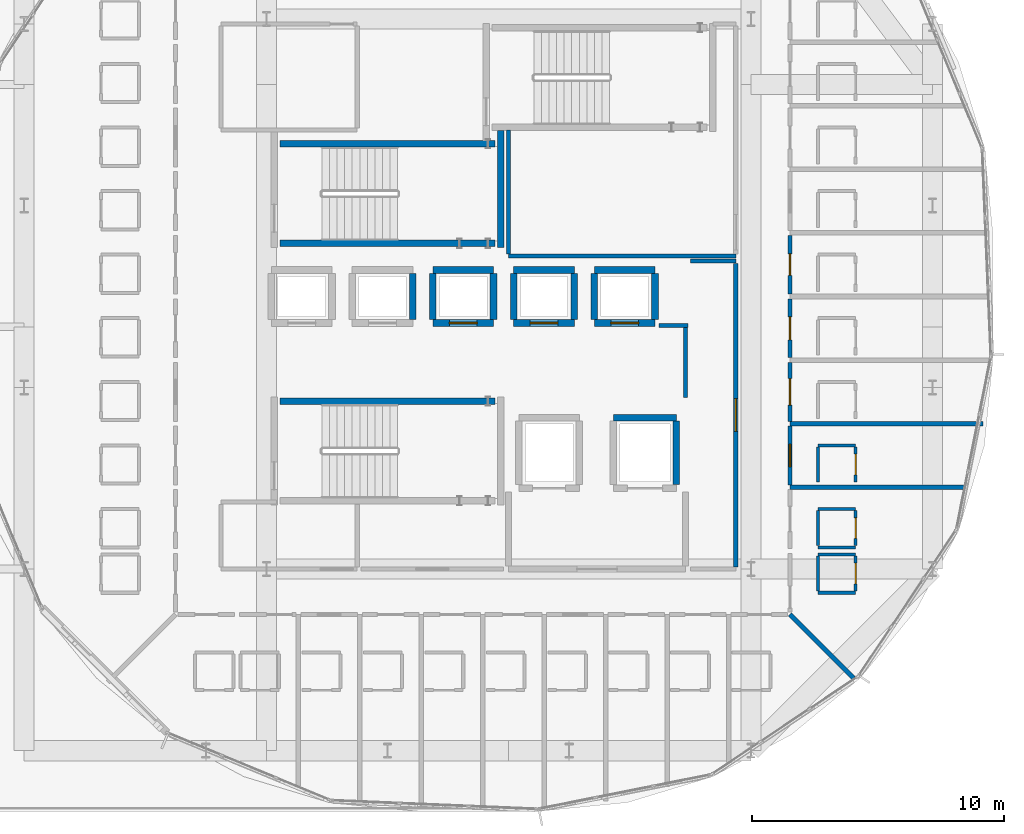
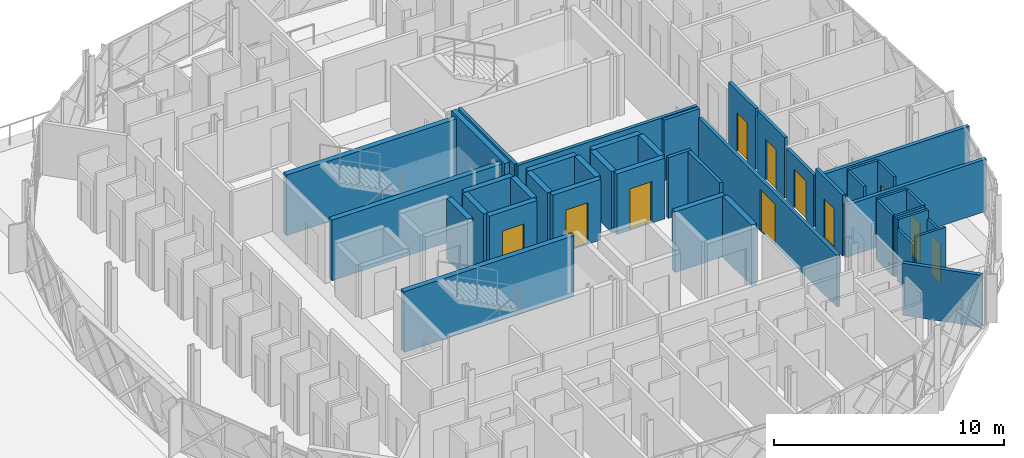
# One storey, part 34 of 53: 43 walls, 11 doors, 11 openings.
"""IFC4 building model written with IfcOpenShell, lengths in metres."""

from ifc_helpers import new_model, si_unit, direction, frame, frame_2d, origin, place, context, subcontext, project, spatial, rectangle, extrude, material, layer, layer_set, type_object, element, fill, save


model = new_model("IFC4")

# Units and contexts
model_context = context("Model", 3, precision=1e-05, world=origin(), true_north=direction((0.0, 1.0)))
body_context = subcontext(model_context, "Body", "Model", "MODEL_VIEW")
ifc_project = project(units=[si_unit("LENGTHUNIT", "METRE"), si_unit("AREAUNIT", "SQUARE_METRE"), si_unit("VOLUMEUNIT", "CUBIC_METRE"), si_unit("PLANEANGLEUNIT", "RADIAN"), si_unit("MASSUNIT", "GRAM", prefix="KILO")], contexts=[model_context])

# Site, building, storey
site_placement = place(None, origin())
site = spatial("IfcSite", under=ifc_project, at=site_placement, CompositionType="ELEMENT")
building_placement = place(site_placement, origin())
building = spatial("IfcBuilding", under=site, at=building_placement, Name="Zevrakil Square Congress Hotel", CompositionType="ELEMENT")
storey_placement = place(building_placement, frame((0.0, 0.0, 14.699951171875)))
storey = spatial("IfcBuildingStorey", under=building, at=storey_placement, Name="L04", CompositionType="ELEMENT", Elevation=14.699951171875)

# Walls
ifc_material_1 = material(Name="Gypsum Acoustic Stud Partition")
ifc_layer_1 = layer(ifc_material_1, 0.159912109375)
ifc_layer_set_1 = layer_set([ifc_layer_1], Name="Gypsum Acoustic Stud Partition")
wall_type_1 = type_object("IfcWallType", Name="WAL-CORR-160", PredefinedType="PARTITIONING", material=ifc_layer_set_1)
wall_1_placement = place(storey_placement, frame((146.39990234375, 29.199951171875, 0.0), z_axis=(0.0, 0.0, 1.0), x_axis=(1.0, 0.0, 0.0)))
element("IfcWall", 1, at=wall_1_placement, inside=storey, type_object=wall_type_1, Name="L04 interior partition PW-L04-0250", PredefinedType="PARTITIONING", context=body_context, shape_type="SweptSolid", body=[
    extrude(rectangle(XDim=9.0, YDim=0.159912109375, at=frame_2d((4.5, 0.0))), origin(), (0.0, 0.0, 1.0), 3.215087890625),
])
wall_2_placement = place(storey_placement, frame((146.39990234375, 29.284912109375, 0.0), z_axis=(0.0, 0.0, 1.0), x_axis=(0.0, 1.0, 0.0)))
element("IfcWall", 2, at=wall_2_placement, inside=storey, type_object=wall_type_1, Name="L04 interior partition PW-L04-0251", PredefinedType="PARTITIONING", context=body_context, shape_type="SweptSolid", body=[
    extrude(rectangle(XDim=4.9150390625, YDim=0.159912109375, at=frame_2d((2.45751953125, 0.0))), origin(), (0.0, 0.0, 1.0), 3.215087890625),
])
wall_3_placement = place(storey_placement, frame((153.60009765625, 29.0, 0.0), z_axis=(0.0, 0.0, 1.0), x_axis=(1.0, 0.0, 0.0)))
element("IfcWall", 3, at=wall_3_placement, inside=storey, type_object=wall_type_1, Name="L04 interior partition PW-L04-0255", PredefinedType="PARTITIONING", context=body_context, shape_type="SweptSolid", body=[
    extrude(rectangle(XDim=1.7998046875, YDim=0.159912109375, at=frame_2d((0.89990234375, 0.0))), origin(), (0.0, 0.0, 1.0), 3.215087890625),
])

# Wall, opening, door
wall_4_placement = place(storey_placement, frame((155.39990234375, 16.885009765625, 0.0), z_axis=(0.0, 0.0, 1.0), x_axis=(0.0, 1.0, 0.0)))
wall_4 = element("IfcWall", 4, at=wall_4_placement, inside=storey, type_object=wall_type_1, Name="L04 interior partition PW-L04-0256", PredefinedType="PARTITIONING", context=body_context, shape_type="SweptSolid", body=[
    extrude(rectangle(XDim=12.030029296875, YDim=0.159912109375, at=frame_2d((6.01513671875, 0.0))), origin(), (0.0, 0.0, 1.0), 2.75),
])
opening_1_placement = place(wall_4_placement, frame((5.364990234375, 0.0, 0.0)))
opening_1 = element("IfcOpeningElement", 5, at=opening_1_placement, cuts=wall_4, Name="Opening ID-08", PredefinedType="OPENING", context=body_context, shape_type="SweptSolid", body=[
    extrude(rectangle(XDim=1.300048828125, YDim=2.199951171875, at=frame_2d((0.64990234375, 1.10009765625))), frame((0.0, 0.08984375, 0.0), z_axis=(0.0, -1.0, 0.0), x_axis=(1.0, 0.0, 0.0)), (0.0, 0.0, 1.0), 0.179931640625),
])
ifc_material_2 = material(Name="Service Corridor Leaf-and-Half Door")
door_type_1 = type_object("IfcDoorType", Name="DOR-BOH-130", OperationType="NOTDEFINED", PredefinedType="DOOR", material=ifc_material_2)
door_1_placement = place(opening_1_placement, origin())
door_1 = element("IfcDoor", 6, at=door_1_placement, inside=storey, type_object=door_type_1, Name="L04 interior door 107", OperationType="SINGLE_SWING_LEFT", OverallHeight=2.199951171875, OverallWidth=1.300048828125, PredefinedType="DOOR", context=body_context, shape_type="SweptSolid", body=[
    extrude(rectangle(XDim=1.300048828125, YDim=2.199951171875, at=frame_2d((0.64990234375, 1.10009765625))), frame((0.0, 0.02490234375, 0.0), z_axis=(0.0, -1.0, 0.0), x_axis=(1.0, 0.0, 0.0)), (0.0, 0.0, 1.0), 0.050048828125),
])
fill(opening_1, door_1)

# Walls
wall_5_placement = place(storey_placement, frame((152.35009765625, 26.449951171875, 0.0), z_axis=(0.0, 0.0, 1.0), x_axis=(1.0, 0.0, 0.0)))
element("IfcWall", 7, at=wall_5_placement, inside=storey, type_object=wall_type_1, Name="L04 interior partition PW-L04-0257", PredefinedType="PARTITIONING", context=body_context, shape_type="SweptSolid", body=[
    extrude(rectangle(XDim=1.14990234375, YDim=0.159912109375, at=frame_2d((0.574951171875, 0.0))), origin(), (0.0, 0.0, 1.0), 3.215087890625),
])
wall_6_placement = place(storey_placement, frame((153.39990234375, 23.60009765625, 0.0), z_axis=(0.0, 0.0, 1.0), x_axis=(0.0, 1.0, 0.0)))
element("IfcWall", 8, at=wall_6_placement, inside=storey, type_object=wall_type_1, Name="L04 interior partition PW-L04-0258", PredefinedType="PARTITIONING", context=body_context, shape_type="SweptSolid", body=[
    extrude(rectangle(XDim=2.7998046875, YDim=0.159912109375, at=frame_2d((1.39990234375, 0.0))), origin(), (0.0, 0.0, 1.0), 3.215087890625),
])

# Wall, opening, door
wall_7_placement = place(storey_placement, frame((157.550048828125, 20.135009765625, 0.0), z_axis=(0.0, 0.0, 1.0), x_axis=(0.0, 1.0, 0.0)))
wall_7 = element("IfcWall", 9, at=wall_7_placement, inside=storey, type_object=wall_type_1, Name="L04 interior partition PW-L04-0323", PredefinedType="PARTITIONING", context=body_context, shape_type="SweptSolid", body=[
    extrude(rectangle(XDim=2.330078125, YDim=0.159912109375, at=frame_2d((1.1650390625, 0.0))), origin(), (0.0, 0.0, 1.0), 3.215087890625),
])
opening_2_placement = place(wall_7_placement, frame((0.720947265625, 0.0, 0.0)))
opening_2 = element("IfcOpeningElement", 10, at=opening_2_placement, cuts=wall_7, Name="Opening ID-H04", PredefinedType="OPENING", context=body_context, shape_type="SweptSolid", body=[
    extrude(rectangle(XDim=0.887939453125, YDim=2.070068359375, at=frame_2d((0.44384765625, 1.03515625))), frame((0.0, 0.08984375, 0.0), z_axis=(0.0, -1.0, 0.0), x_axis=(1.0, 0.0, 0.0)), (0.0, 0.0, 1.0), 0.179931640625),
])
ifc_material_3 = material(Name="Acoustic Timber Fire Door", Category="wood")
door_type_2 = type_object("IfcDoorType", Name="DOR-INT-H04", OperationType="NOTDEFINED", PredefinedType="DOOR", material=ifc_material_3)
door_2_placement = place(opening_2_placement, origin())
door_2 = element("IfcDoor", 11, at=door_2_placement, inside=storey, type_object=door_type_2, Name="L04 interior door 133", OperationType="SINGLE_SWING_LEFT", OverallHeight=2.070068359375, OverallWidth=0.887939453125, PredefinedType="DOOR", context=body_context, shape_type="SweptSolid", body=[
    extrude(rectangle(XDim=0.887939453125, YDim=2.070068359375, at=frame_2d((0.44384765625, 1.03515625))), frame((0.0, 0.02490234375, 0.0), z_axis=(0.0, -1.0, 0.0), x_axis=(1.0, 0.0, 0.0)), (0.0, 0.0, 1.0), 0.050048828125),
])
fill(opening_2, door_2)

wall_8_placement = place(storey_placement, frame((157.550048828125, 22.655029296875, 0.0), z_axis=(0.0, 0.0, 1.0), x_axis=(0.0, 1.0, 0.0)))
wall_8 = element("IfcWall", 12, at=wall_8_placement, inside=storey, type_object=wall_type_1, Name="L04 interior partition PW-L04-0328", PredefinedType="PARTITIONING", context=body_context, shape_type="SweptSolid", body=[
    extrude(rectangle(XDim=2.330078125, YDim=0.159912109375, at=frame_2d((1.1650390625, 0.0))), origin(), (0.0, 0.0, 1.0), 2.75),
])
opening_3_placement = place(wall_8_placement, frame((0.637451171875, 0.0, 0.0)))
opening_3 = element("IfcOpeningElement", 13, at=opening_3_placement, cuts=wall_8, Name="Opening ID-G09", PredefinedType="OPENING", context=body_context, shape_type="SweptSolid", body=[
    extrude(rectangle(XDim=1.054931640625, YDim=2.050048828125, at=frame_2d((0.52734375, 1.02490234375))), frame((0.0, 0.08984375, 0.0), z_axis=(0.0, -1.0, 0.0), x_axis=(1.0, 0.0, 0.0)), (0.0, 0.0, 1.0), 0.179931640625),
])
ifc_material_4 = material(Name="Acoustic Timber Fire Door", Category="wood")
door_type_3 = type_object("IfcDoorType", Name="DOR-INT-G09", OperationType="NOTDEFINED", PredefinedType="DOOR", material=ifc_material_4)
door_3_placement = place(opening_3_placement, origin())
door_3 = element("IfcDoor", 14, at=door_3_placement, inside=storey, type_object=door_type_3, Name="L04 interior door 135", OperationType="SINGLE_SWING_LEFT", OverallHeight=2.050048828125, OverallWidth=1.054931640625, PredefinedType="DOOR", context=body_context, shape_type="SweptSolid", body=[
    extrude(rectangle(XDim=1.054931640625, YDim=2.050048828125, at=frame_2d((0.52734375, 1.02490234375))), frame((0.0, 0.02490234375, 0.0), z_axis=(0.0, -1.0, 0.0), x_axis=(1.0, 0.0, 0.0)), (0.0, 0.0, 1.0), 0.050048828125),
])
fill(opening_3, door_3)

wall_9_placement = place(storey_placement, frame((157.550048828125, 25.175048828125, 0.0), z_axis=(0.0, 0.0, 1.0), x_axis=(0.0, 1.0, 0.0)))
wall_9 = element("IfcWall", 15, at=wall_9_placement, inside=storey, type_object=wall_type_1, Name="L04 interior partition PW-L04-0333", PredefinedType="PARTITIONING", context=body_context, shape_type="SweptSolid", body=[
    extrude(rectangle(XDim=2.329833984375, YDim=0.159912109375, at=frame_2d((1.1650390625, 0.0))), origin(), (0.0, 0.0, 1.0), 3.215087890625),
])
opening_4_placement = place(wall_9_placement, frame((0.708984375, 0.0, 0.0)))
opening_4 = element("IfcOpeningElement", 16, at=opening_4_placement, cuts=wall_9, Name="Opening ID-H06", PredefinedType="OPENING", context=body_context, shape_type="SweptSolid", body=[
    extrude(rectangle(XDim=0.912109375, YDim=2.1298828125, at=frame_2d((0.4560546875, 1.06494140625))), frame((0.0, 0.08984375, 0.0), z_axis=(0.0, -1.0, 0.0), x_axis=(1.0, 0.0, 0.0)), (0.0, 0.0, 1.0), 0.179931640625),
])
ifc_material_5 = material(Name="Acoustic Timber Fire Door", Category="wood")
door_type_4 = type_object("IfcDoorType", Name="DOR-INT-H06", OperationType="NOTDEFINED", PredefinedType="DOOR", material=ifc_material_5)
door_4_placement = place(opening_4_placement, origin())
door_4 = element("IfcDoor", 17, at=door_4_placement, inside=storey, type_object=door_type_4, Name="L04 interior door 137", OperationType="SINGLE_SWING_LEFT", OverallHeight=2.1298828125, OverallWidth=0.912109375, PredefinedType="DOOR", context=body_context, shape_type="SweptSolid", body=[
    extrude(rectangle(XDim=0.912109375, YDim=2.1298828125, at=frame_2d((0.4560546875, 1.06494140625))), frame((0.0, 0.02490234375, 0.0), z_axis=(0.0, -1.0, 0.0), x_axis=(1.0, 0.0, 0.0)), (0.0, 0.0, 1.0), 0.050048828125),
])
fill(opening_4, door_4)

wall_10_placement = place(storey_placement, frame((157.550048828125, 27.695068359375, 0.0), z_axis=(0.0, 0.0, 1.0), x_axis=(0.0, 1.0, 0.0)))
wall_10 = element("IfcWall", 18, at=wall_10_placement, inside=storey, type_object=wall_type_1, Name="L04 interior partition PW-L04-0338", PredefinedType="PARTITIONING", context=body_context, shape_type="SweptSolid", body=[
    extrude(rectangle(XDim=2.329833984375, YDim=0.159912109375, at=frame_2d((1.1650390625, 0.0))), origin(), (0.0, 0.0, 1.0), 3.215087890625),
])
opening_5_placement = place(wall_10_placement, frame((0.737548828125, 0.0, 0.0)))
opening_5 = element("IfcOpeningElement", 19, at=opening_5_placement, cuts=wall_10, Name="Opening ID-G01", PredefinedType="OPENING", context=body_context, shape_type="SweptSolid", body=[
    extrude(rectangle(XDim=0.85498046875, YDim=2.050048828125, at=frame_2d((0.427490234375, 1.02490234375))), frame((0.0, 0.08984375, 0.0), z_axis=(0.0, -1.0, 0.0), x_axis=(1.0, 0.0, 0.0)), (0.0, 0.0, 1.0), 0.179931640625),
])
ifc_material_6 = material(Name="Acoustic Timber Fire Door", Category="wood")
door_type_5 = type_object("IfcDoorType", Name="DOR-INT-G01", OperationType="NOTDEFINED", PredefinedType="DOOR", material=ifc_material_6)
door_5_placement = place(opening_5_placement, origin())
door_5 = element("IfcDoor", 20, at=door_5_placement, inside=storey, type_object=door_type_5, Name="L04 interior door 139", OperationType="SINGLE_SWING_LEFT", OverallHeight=2.050048828125, OverallWidth=0.85498046875, PredefinedType="DOOR", context=body_context, shape_type="SweptSolid", body=[
    extrude(rectangle(XDim=0.85498046875, YDim=2.050048828125, at=frame_2d((0.427490234375, 1.02490234375))), frame((0.0, 0.02490234375, 0.0), z_axis=(0.0, -1.0, 0.0), x_axis=(1.0, 0.0, 0.0)), (0.0, 0.0, 1.0), 0.050048828125),
])
fill(opening_5, door_5)

# Walls
ifc_material_7 = material(Name="Moisture-Resistant Gypsum Partition")
ifc_layer_2 = layer(ifc_material_7, 0.1201171875)
ifc_layer_set_2 = layer_set([ifc_layer_2], Name="Moisture-Resistant Gypsum Partition")
wall_type_2 = type_object("IfcWallType", Name="WAL-ENS-120", PredefinedType="PARTITIONING", material=ifc_layer_set_2)
for number, where, z_axis, x_axis, name in (
    (21, (158.64990234375, 15.860107421875, 0.0), (0.0, 0.0, 1.0), (1.0, 0.0, 0.0), "L04 interior partition PW-L04-0313"),
    (22, (158.64990234375, 17.3798828125, 0.0), (0.0, 0.0, 1.0), (1.0, 0.0, 0.0), "L04 interior partition PW-L04-0314"),
):
    element("IfcWall", number, at=place(storey_placement, frame(where, z_axis=z_axis, x_axis=x_axis)), inside=storey, type_object=wall_type_2, Name=name, PredefinedType="PARTITIONING", context=body_context, shape_type="SweptSolid", body=[
        extrude(rectangle(XDim=1.5, YDim=0.1201171875, at=frame_2d((0.75, 0.0))), origin(), (0.0, 0.0, 1.0), 3.215087890625),
    ])
wall_11_placement = place(storey_placement, frame((158.64990234375, 15.925048828125, 0.0), z_axis=(0.0, 0.0, 1.0), x_axis=(0.0, 1.0, 0.0)))
element("IfcWall", 23, at=wall_11_placement, inside=storey, type_object=wall_type_2, Name="L04 interior partition PW-L04-0315", PredefinedType="PARTITIONING", context=body_context, shape_type="SweptSolid", body=[
    extrude(rectangle(XDim=1.389892578125, YDim=0.1201171875, at=frame_2d((0.69482421875, 0.0))), origin(), (0.0, 0.0, 1.0), 2.75),
])

# Wall, opening, door
wall_12_placement = place(storey_placement, frame((160.14990234375, 15.925048828125, 0.0), z_axis=(0.0, 0.0, 1.0), x_axis=(0.0, 1.0, 0.0)))
wall_12 = element("IfcWall", 24, at=wall_12_placement, inside=storey, type_object=wall_type_2, Name="L04 interior partition PW-L04-0316", PredefinedType="PARTITIONING", context=body_context, shape_type="SweptSolid", body=[
    extrude(rectangle(XDim=1.389892578125, YDim=0.1201171875, at=frame_2d((0.69482421875, 0.0))), origin(), (0.0, 0.0, 1.0), 2.75),
])
opening_6_placement = place(wall_12_placement, frame((0.284912109375, 0.0, 0.0)))
opening_6 = element("IfcOpeningElement", 25, at=opening_6_placement, cuts=wall_12, Name="Opening ID-11", PredefinedType="OPENING", context=body_context, shape_type="SweptSolid", body=[
    extrude(rectangle(XDim=0.820068359375, YDim=2.080078125, at=frame_2d((0.41015625, 1.0400390625))), frame((0.0, 0.070068359375, 0.0), z_axis=(0.0, -1.0, 0.0), x_axis=(1.0, 0.0, 0.0)), (0.0, 0.0, 1.0), 0.14013671875),
])
ifc_material_8 = material(Name="Acoustic Timber Door", Category="wood")
door_type_6 = type_object("IfcDoorType", Name="DOR-INT-V01", OperationType="NOTDEFINED", PredefinedType="DOOR", material=ifc_material_8)
door_6_placement = place(opening_6_placement, origin())
door_6 = element("IfcDoor", 26, at=door_6_placement, inside=storey, type_object=door_type_6, Name="L04 interior door 130", OperationType="SINGLE_SWING_RIGHT", OverallHeight=2.080078125, OverallWidth=0.820068359375, PredefinedType="DOOR", context=body_context, shape_type="SweptSolid", body=[
    extrude(rectangle(XDim=0.820068359375, YDim=2.080078125, at=frame_2d((0.41015625, 1.0400390625))), frame((0.0, 0.02490234375, 0.0), z_axis=(0.0, -1.0, 0.0), x_axis=(1.0, 0.0, 0.0)), (0.0, 0.0, 1.0), 0.050048828125),
])
fill(opening_6, door_6)

# Walls
for number, where, z_axis, x_axis, name in (
    (27, (158.64990234375, 17.659912109375, 0.0), (0.0, 0.0, 1.0), (1.0, 0.0, 0.0), "L04 interior partition PW-L04-0318"),
    (28, (158.64990234375, 19.179931640625, 0.0), (0.0, 0.0, 1.0), (1.0, 0.0, 0.0), "L04 interior partition PW-L04-0319"),
):
    element("IfcWall", number, at=place(storey_placement, frame(where, z_axis=z_axis, x_axis=x_axis)), inside=storey, type_object=wall_type_2, Name=name, PredefinedType="PARTITIONING", context=body_context, shape_type="SweptSolid", body=[
        extrude(rectangle(XDim=1.5, YDim=0.1201171875, at=frame_2d((0.75, 0.0))), origin(), (0.0, 0.0, 1.0), 3.215087890625),
    ])
wall_13_placement = place(storey_placement, frame((158.64990234375, 17.72509765625, 0.0), z_axis=(0.0, 0.0, 1.0), x_axis=(0.0, 1.0, 0.0)))
element("IfcWall", 29, at=wall_13_placement, inside=storey, type_object=wall_type_2, Name="L04 interior partition PW-L04-0320", PredefinedType="PARTITIONING", context=body_context, shape_type="SweptSolid", body=[
    extrude(rectangle(XDim=1.389892578125, YDim=0.1201171875, at=frame_2d((0.69482421875, 0.0))), origin(), (0.0, 0.0, 1.0), 3.215087890625),
])

# Wall, opening, door
wall_14_placement = place(storey_placement, frame((160.14990234375, 17.72509765625, 0.0), z_axis=(0.0, 0.0, 1.0), x_axis=(0.0, 1.0, 0.0)))
wall_14 = element("IfcWall", 30, at=wall_14_placement, inside=storey, type_object=wall_type_2, Name="L04 interior partition PW-L04-0321", PredefinedType="PARTITIONING", context=body_context, shape_type="SweptSolid", body=[
    extrude(rectangle(XDim=1.389892578125, YDim=0.1201171875, at=frame_2d((0.69482421875, 0.0))), origin(), (0.0, 0.0, 1.0), 3.215087890625),
])
opening_7_placement = place(wall_14_placement, frame((0.284912109375, 0.0, 0.0)))
opening_7 = element("IfcOpeningElement", 31, at=opening_7_placement, cuts=wall_14, Name="Opening ID-11", PredefinedType="OPENING", context=body_context, shape_type="SweptSolid", body=[
    extrude(rectangle(XDim=0.820068359375, YDim=2.080078125, at=frame_2d((0.41015625, 1.0400390625))), frame((0.0, 0.070068359375, 0.0), z_axis=(0.0, -1.0, 0.0), x_axis=(1.0, 0.0, 0.0)), (0.0, 0.0, 1.0), 0.14013671875),
])
door_7_placement = place(opening_7_placement, origin())
door_7 = element("IfcDoor", 32, at=door_7_placement, inside=storey, type_object=door_type_6, Name="L04 interior door 132", OperationType="SINGLE_SWING_RIGHT", OverallHeight=2.080078125, OverallWidth=0.820068359375, PredefinedType="DOOR", context=body_context, shape_type="SweptSolid", body=[
    extrude(rectangle(XDim=0.820068359375, YDim=2.080078125, at=frame_2d((0.41015625, 1.0400390625))), frame((0.0, 0.02490234375, 0.0), z_axis=(0.0, -1.0, 0.0), x_axis=(1.0, 0.0, 0.0)), (0.0, 0.0, 1.0), 0.050048828125),
])
fill(opening_7, door_7)

# Walls
wall_15_placement = place(storey_placement, frame((158.64990234375, 21.699951171875, 0.0), z_axis=(0.0, 0.0, 1.0), x_axis=(1.0, 0.0, 0.0)))
element("IfcWall", 33, at=wall_15_placement, inside=storey, type_object=wall_type_2, Name="L04 interior partition PW-L04-0324", PredefinedType="PARTITIONING", context=body_context, shape_type="SweptSolid", body=[
    extrude(rectangle(XDim=1.5, YDim=0.1201171875, at=frame_2d((0.75, 0.0))), origin(), (0.0, 0.0, 1.0), 3.215087890625),
])
wall_16_placement = place(storey_placement, frame((158.64990234375, 20.2451171875, 0.0), z_axis=(0.0, 0.0, 1.0), x_axis=(0.0, 1.0, 0.0)))
element("IfcWall", 34, at=wall_16_placement, inside=storey, type_object=wall_type_2, Name="L04 interior partition PW-L04-0325", PredefinedType="PARTITIONING", context=body_context, shape_type="SweptSolid", body=[
    extrude(rectangle(XDim=1.389892578125, YDim=0.1201171875, at=frame_2d((0.69482421875, 0.0))), origin(), (0.0, 0.0, 1.0), 3.215087890625),
])

# Wall, opening, door
wall_17_placement = place(storey_placement, frame((160.14990234375, 20.2451171875, 0.0), z_axis=(0.0, 0.0, 1.0), x_axis=(0.0, 1.0, 0.0)))
wall_17 = element("IfcWall", 35, at=wall_17_placement, inside=storey, type_object=wall_type_2, Name="L04 interior partition PW-L04-0326", PredefinedType="PARTITIONING", context=body_context, shape_type="SweptSolid", body=[
    extrude(rectangle(XDim=1.389892578125, YDim=0.1201171875, at=frame_2d((0.69482421875, 0.0))), origin(), (0.0, 0.0, 1.0), 3.215087890625),
])
opening_8_placement = place(wall_17_placement, frame((0.284912109375, 0.0, 0.0)))
opening_8 = element("IfcOpeningElement", 36, at=opening_8_placement, cuts=wall_17, Name="Opening ID-11", PredefinedType="OPENING", context=body_context, shape_type="SweptSolid", body=[
    extrude(rectangle(XDim=0.820068359375, YDim=2.080078125, at=frame_2d((0.41015625, 1.0400390625))), frame((0.0, 0.070068359375, 0.0), z_axis=(0.0, -1.0, 0.0), x_axis=(1.0, 0.0, 0.0)), (0.0, 0.0, 1.0), 0.14013671875),
])
door_8_placement = place(opening_8_placement, origin())
door_8 = element("IfcDoor", 37, at=door_8_placement, inside=storey, type_object=door_type_6, Name="L04 interior door 134", OperationType="SINGLE_SWING_RIGHT", OverallHeight=2.080078125, OverallWidth=0.820068359375, PredefinedType="DOOR", context=body_context, shape_type="SweptSolid", body=[
    extrude(rectangle(XDim=0.820068359375, YDim=2.080078125, at=frame_2d((0.41015625, 1.0400390625))), frame((0.0, 0.02490234375, 0.0), z_axis=(0.0, -1.0, 0.0), x_axis=(1.0, 0.0, 0.0)), (0.0, 0.0, 1.0), 0.050048828125),
])
fill(opening_8, door_8)

# Walls
ifc_material_9 = material(Name="Gypsum Twin-Stud Party Partition")
ifc_layer_3 = layer(ifc_material_9, 0.179931640625)
ifc_layer_set_3 = layer_set([ifc_layer_3], Name="Gypsum Twin-Stud Party Partition")
wall_type_3 = type_object("IfcWallType", Name="WAL-PARTY-180", PredefinedType="PARTITIONING", material=ifc_layer_set_3)
wall_18_placement = place(storey_placement, frame((157.550048828125, 15.0, 0.0), z_axis=(0.0, 0.0, 1.0), x_axis=(0.707106781187, -0.707106781187, 0.0)))
element("IfcWall", 38, at=wall_18_placement, inside=storey, type_object=wall_type_3, Name="L04 interior partition PW-L04-0311", PredefinedType="PARTITIONING", context=body_context, shape_type="SweptSolid", body=[
    extrude(rectangle(XDim=3.565185546875, YDim=0.179931640625, at=frame_2d((1.78271484375, 0.0))), origin(), (0.0, 0.0, 1.0), 2.760009765625),
])
wall_19_placement = place(storey_placement, frame((157.550048828125, 20.0400390625, 0.0), z_axis=(0.0, 0.0, 1.0), x_axis=(1.0, 0.0, 0.0)))
element("IfcWall", 39, at=wall_19_placement, inside=storey, type_object=wall_type_3, Name="L04 interior partition PW-L04-0322", PredefinedType="PARTITIONING", context=body_context, shape_type="SweptSolid", body=[
    extrude(rectangle(XDim=7.0400390625, YDim=0.179931640625, at=frame_2d((3.52001953125, 0.0))), origin(), (0.0, 0.0, 1.0), 2.760009765625),
])
wall_20_placement = place(storey_placement, frame((157.550048828125, 22.56005859375, 0.0), z_axis=(0.0, 0.0, 1.0), x_axis=(1.0, 0.0, 0.0)))
element("IfcWall", 40, at=wall_20_placement, inside=storey, type_object=wall_type_3, Name="L04 interior partition PW-L04-0327", PredefinedType="PARTITIONING", context=body_context, shape_type="SweptSolid", body=[
    extrude(rectangle(XDim=7.64306640625, YDim=0.179931640625, at=frame_2d((3.821533203125, 0.0))), origin(), (0.0, 0.0, 1.0), 2.760009765625),
])
ifc_material_10 = material(Name="Concrete C40/50", Category="concrete")
ifc_layer_4 = layer(ifc_material_10, 0.260009765625)
ifc_layer_set_4 = layer_set([ifc_layer_4], Name="Concrete C40/50")
wall_type_4 = type_object("IfcWallType", Name="WAL-SHAFT-260", PredefinedType="SHEAR", material=ifc_layer_set_4)
wall_21_placement = place(storey_placement, frame((137.340087890625, 23.445068359375, 0.0), z_axis=(0.0, 0.0, 1.0), x_axis=(1.0, 0.0, 0.0)))
element("IfcWall", 41, at=wall_21_placement, inside=storey, type_object=wall_type_4, Name="L04 ST01 stair shaft N wall", PredefinedType="SHEAR", context=body_context, shape_type="SweptSolid", body=[
    extrude(rectangle(XDim=8.52001953125, YDim=0.260009765625, at=frame_2d((4.260009765625, 0.0))), origin(), (0.0, 0.0, 1.0), 3.215087890625),
])
wall_22_placement = place(storey_placement, frame((146.094970703125, 29.5400390625, 0.0), z_axis=(0.0, 0.0, 1.0), x_axis=(0.0, 1.0, 0.0)))
element("IfcWall", 42, at=wall_22_placement, inside=storey, type_object=wall_type_4, Name="L04 ST02 stair shaft E wall", PredefinedType="SHEAR", context=body_context, shape_type="SweptSolid", body=[
    extrude(rectangle(XDim=4.635009765625, YDim=0.260009765625, at=frame_2d((2.3173828125, 0.0))), origin(), (0.0, 0.0, 1.0), 3.215087890625),
])
for number, where, z_axis, x_axis, name in (
    (43, (137.340087890625, 29.705078125, 0.0), (0.0, 0.0, 1.0), (1.0, 0.0, 0.0), "L04 ST02 stair shaft S wall"),
    (44, (137.340087890625, 33.64501953125, 0.0), (0.0, 0.0, 1.0), (1.0, 0.0, 0.0), "L04 ST02 stair shaft N wall"),
):
    element("IfcWall", number, at=place(storey_placement, frame(where, z_axis=z_axis, x_axis=x_axis)), inside=storey, type_object=wall_type_4, Name=name, PredefinedType="SHEAR", context=body_context, shape_type="SweptSolid", body=[
        extrude(rectangle(XDim=8.52001953125, YDim=0.260009765625, at=frame_2d((4.260009765625, 0.0))), origin(), (0.0, 0.0, 1.0), 3.215087890625),
    ])
wall_23_placement = place(storey_placement, frame((142.60009765625, 26.68994140625, 0.0), z_axis=(0.0, 0.0, 1.0), x_axis=(0.0, 1.0, 0.0)))
element("IfcWall", 45, at=wall_23_placement, inside=storey, type_object=wall_type_4, Name="L04 HL2 lift shaft wall", PredefinedType="SHEAR", context=body_context, shape_type="SweptSolid", body=[
    extrude(rectangle(XDim=1.820068359375, YDim=0.260009765625, at=frame_2d((0.91015625, 0.0))), origin(), (0.0, 0.0, 1.0), 3.215087890625),
])

# Wall, opening, door
wall_24_placement = place(storey_placement, frame((143.39990234375, 26.550048828125, 0.0), z_axis=(0.0, 0.0, 1.0), x_axis=(1.0, 0.0, 0.0)))
wall_24 = element("IfcWall", 46, at=wall_24_placement, inside=storey, type_object=wall_type_4, Name="L04 HL3 lift shaft wall", PredefinedType="SHEAR", context=body_context, shape_type="SweptSolid", body=[
    extrude(rectangle(XDim=2.400146484375, YDim=0.260009765625, at=frame_2d((1.2001953125, 0.0))), origin(), (0.0, 0.0, 1.0), 3.215087890625),
])
opening_9_placement = place(wall_24_placement, frame((0.64990234375, 0.0, 0.0)))
opening_9 = element("IfcOpeningElement", 47, at=opening_9_placement, cuts=wall_24, Name="Opening LD-HL3", PredefinedType="OPENING", context=body_context, shape_type="SweptSolid", body=[
    extrude(rectangle(XDim=1.10009765625, YDim=2.199951171875, at=frame_2d((0.550048828125, 1.10009765625))), frame((0.0, 0.14013671875, 0.0), z_axis=(0.0, -1.0, 0.0), x_axis=(1.0, 0.0, 0.0)), (0.0, 0.0, 1.0), 0.280029296875),
])
ifc_material_11 = material(Name="Stainless Steel Sliding Lift Landing Door", Category="steel")
door_type_7 = type_object("IfcDoorType", Name="DOR-LIFT-LD110", OperationType="NOTDEFINED", PredefinedType="DOOR", material=ifc_material_11)
door_9_placement = place(opening_9_placement, origin())
door_9 = element("IfcDoor", 48, at=door_9_placement, inside=storey, type_object=door_type_7, Name="L04 HL3 sliding lift landing door", OperationType="SLIDING_TO_LEFT", OverallHeight=2.199951171875, OverallWidth=1.10009765625, PredefinedType="DOOR", context=body_context, shape_type="SweptSolid", body=[
    extrude(rectangle(XDim=1.10009765625, YDim=2.199951171875, at=frame_2d((0.550048828125, 1.10009765625))), frame((0.0, 0.02490234375, 0.0), z_axis=(0.0, -1.0, 0.0), x_axis=(1.0, 0.0, 0.0)), (0.0, 0.0, 1.0), 0.050048828125),
])
fill(opening_9, door_9)

# Walls
wall_25_placement = place(storey_placement, frame((143.39990234375, 28.64990234375, 0.0), z_axis=(0.0, 0.0, 1.0), x_axis=(1.0, 0.0, 0.0)))
element("IfcWall", 49, at=wall_25_placement, inside=storey, type_object=wall_type_4, Name="L04 HL3 lift shaft wall", PredefinedType="SHEAR", context=body_context, shape_type="SweptSolid", body=[
    extrude(rectangle(XDim=2.400146484375, YDim=0.260009765625, at=frame_2d((1.2001953125, 0.0))), origin(), (0.0, 0.0, 1.0), 3.215087890625),
])
for number, where, z_axis, x_axis, name in (
    (50, (143.39990234375, 26.68994140625, 0.0), (0.0, 0.0, 1.0), (0.0, 1.0, 0.0), "L04 HL3 lift shaft wall"),
    (51, (145.800048828125, 26.68994140625, 0.0), (0.0, 0.0, 1.0), (0.0, 1.0, 0.0), "L04 HL3 lift shaft wall"),
):
    element("IfcWall", number, at=place(storey_placement, frame(where, z_axis=z_axis, x_axis=x_axis)), inside=storey, type_object=wall_type_4, Name=name, PredefinedType="SHEAR", context=body_context, shape_type="SweptSolid", body=[
        extrude(rectangle(XDim=1.820068359375, YDim=0.260009765625, at=frame_2d((0.91015625, 0.0))), origin(), (0.0, 0.0, 1.0), 3.215087890625),
    ])

# Wall, opening, door
wall_26_placement = place(storey_placement, frame((146.60009765625, 26.550048828125, 0.0), z_axis=(0.0, 0.0, 1.0), x_axis=(1.0, 0.0, 0.0)))
wall_26 = element("IfcWall", 52, at=wall_26_placement, inside=storey, type_object=wall_type_4, Name="L04 HL4 lift shaft wall", PredefinedType="SHEAR", context=body_context, shape_type="SweptSolid", body=[
    extrude(rectangle(XDim=2.39990234375, YDim=0.260009765625, at=frame_2d((1.199951171875, 0.0))), origin(), (0.0, 0.0, 1.0), 3.215087890625),
])
opening_10_placement = place(wall_26_placement, frame((0.64990234375, 0.0, 0.0)))
opening_10 = element("IfcOpeningElement", 53, at=opening_10_placement, cuts=wall_26, Name="Opening LD-HL4", PredefinedType="OPENING", context=body_context, shape_type="SweptSolid", body=[
    extrude(rectangle(XDim=1.10009765625, YDim=2.199951171875, at=frame_2d((0.550048828125, 1.10009765625))), frame((0.0, 0.14013671875, 0.0), z_axis=(0.0, -1.0, 0.0), x_axis=(1.0, 0.0, 0.0)), (0.0, 0.0, 1.0), 0.280029296875),
])
door_10_placement = place(opening_10_placement, origin())
door_10 = element("IfcDoor", 54, at=door_10_placement, inside=storey, type_object=door_type_7, Name="L04 HL4 sliding lift landing door", OperationType="SLIDING_TO_RIGHT", OverallHeight=2.199951171875, OverallWidth=1.10009765625, PredefinedType="DOOR", context=body_context, shape_type="SweptSolid", body=[
    extrude(rectangle(XDim=1.10009765625, YDim=2.199951171875, at=frame_2d((0.550048828125, 1.10009765625))), frame((0.0, 0.02490234375, 0.0), z_axis=(0.0, -1.0, 0.0), x_axis=(1.0, 0.0, 0.0)), (0.0, 0.0, 1.0), 0.050048828125),
])
fill(opening_10, door_10)

# Walls
wall_27_placement = place(storey_placement, frame((146.60009765625, 28.64990234375, 0.0), z_axis=(0.0, 0.0, 1.0), x_axis=(1.0, 0.0, 0.0)))
element("IfcWall", 55, at=wall_27_placement, inside=storey, type_object=wall_type_4, Name="L04 HL4 lift shaft wall", PredefinedType="SHEAR", context=body_context, shape_type="SweptSolid", body=[
    extrude(rectangle(XDim=2.39990234375, YDim=0.260009765625, at=frame_2d((1.199951171875, 0.0))), origin(), (0.0, 0.0, 1.0), 3.215087890625),
])
for number, where, z_axis, x_axis, name in (
    (56, (146.60009765625, 26.68994140625, 0.0), (0.0, 0.0, 1.0), (0.0, 1.0, 0.0), "L04 HL4 lift shaft wall"),
    (57, (149.0, 26.68994140625, 0.0), (0.0, 0.0, 1.0), (0.0, 1.0, 0.0), "L04 HL4 lift shaft wall"),
):
    element("IfcWall", number, at=place(storey_placement, frame(where, z_axis=z_axis, x_axis=x_axis)), inside=storey, type_object=wall_type_4, Name=name, PredefinedType="SHEAR", context=body_context, shape_type="SweptSolid", body=[
        extrude(rectangle(XDim=1.820068359375, YDim=0.260009765625, at=frame_2d((0.91015625, 0.0))), origin(), (0.0, 0.0, 1.0), 3.215087890625),
    ])

# Wall, opening, door
wall_28_placement = place(storey_placement, frame((149.800048828125, 26.550048828125, 0.0), z_axis=(0.0, 0.0, 1.0), x_axis=(1.0, 0.0, 0.0)))
wall_28 = element("IfcWall", 58, at=wall_28_placement, inside=storey, type_object=wall_type_4, Name="L04 HL5 lift shaft wall", PredefinedType="SHEAR", context=body_context, shape_type="SweptSolid", body=[
    extrude(rectangle(XDim=2.39990234375, YDim=0.260009765625, at=frame_2d((1.199951171875, 0.0))), origin(), (0.0, 0.0, 1.0), 3.215087890625),
])
opening_11_placement = place(wall_28_placement, frame((0.64990234375, 0.0, 0.0)))
opening_11 = element("IfcOpeningElement", 59, at=opening_11_placement, cuts=wall_28, Name="Opening LD-HL5", PredefinedType="OPENING", context=body_context, shape_type="SweptSolid", body=[
    extrude(rectangle(XDim=1.10009765625, YDim=2.199951171875, at=frame_2d((0.550048828125, 1.10009765625))), frame((0.0, 0.14013671875, 0.0), z_axis=(0.0, -1.0, 0.0), x_axis=(1.0, 0.0, 0.0)), (0.0, 0.0, 1.0), 0.280029296875),
])
door_11_placement = place(opening_11_placement, origin())
door_11 = element("IfcDoor", 60, at=door_11_placement, inside=storey, type_object=door_type_7, Name="L04 HL5 sliding lift landing door", OperationType="SLIDING_TO_LEFT", OverallHeight=2.199951171875, OverallWidth=1.10009765625, PredefinedType="DOOR", context=body_context, shape_type="SweptSolid", body=[
    extrude(rectangle(XDim=1.10009765625, YDim=2.199951171875, at=frame_2d((0.550048828125, 1.10009765625))), frame((0.0, 0.02490234375, 0.0), z_axis=(0.0, -1.0, 0.0), x_axis=(1.0, 0.0, 0.0)), (0.0, 0.0, 1.0), 0.050048828125),
])
fill(opening_11, door_11)

# Walls
wall_29_placement = place(storey_placement, frame((149.800048828125, 28.64990234375, 0.0), z_axis=(0.0, 0.0, 1.0), x_axis=(1.0, 0.0, 0.0)))
element("IfcWall", 61, at=wall_29_placement, inside=storey, type_object=wall_type_4, Name="L04 HL5 lift shaft wall", PredefinedType="SHEAR", context=body_context, shape_type="SweptSolid", body=[
    extrude(rectangle(XDim=2.39990234375, YDim=0.260009765625, at=frame_2d((1.199951171875, 0.0))), origin(), (0.0, 0.0, 1.0), 3.215087890625),
])
for number, where, z_axis, x_axis, name in (
    (62, (149.800048828125, 26.68994140625, 0.0), (0.0, 0.0, 1.0), (0.0, 1.0, 0.0), "L04 HL5 lift shaft wall"),
    (63, (152.199951171875, 26.68994140625, 0.0), (0.0, 0.0, 1.0), (0.0, 1.0, 0.0), "L04 HL5 lift shaft wall"),
):
    element("IfcWall", number, at=place(storey_placement, frame(where, z_axis=z_axis, x_axis=x_axis)), inside=storey, type_object=wall_type_4, Name=name, PredefinedType="SHEAR", context=body_context, shape_type="SweptSolid", body=[
        extrude(rectangle(XDim=1.820068359375, YDim=0.260009765625, at=frame_2d((0.91015625, 0.0))), origin(), (0.0, 0.0, 1.0), 3.215087890625),
    ])
wall_30_placement = place(storey_placement, frame((150.550048828125, 22.800048828125, 0.0), z_axis=(0.0, 0.0, 1.0), x_axis=(1.0, 0.0, 0.0)))
element("IfcWall", 64, at=wall_30_placement, inside=storey, type_object=wall_type_4, Name="L04 SL1 lift shaft wall", PredefinedType="SHEAR", context=body_context, shape_type="SweptSolid", body=[
    extrude(rectangle(XDim=2.5, YDim=0.260009765625, at=frame_2d((1.25, 0.0))), origin(), (0.0, 0.0, 1.0), 3.215087890625),
])
wall_31_placement = place(storey_placement, frame((153.050048828125, 20.139892578125, 0.0), z_axis=(0.0, 0.0, 1.0), x_axis=(0.0, 1.0, 0.0)))
element("IfcWall", 65, at=wall_31_placement, inside=storey, type_object=wall_type_4, Name="L04 SL1 lift shaft wall", PredefinedType="SHEAR", context=body_context, shape_type="SweptSolid", body=[
    extrude(rectangle(XDim=2.52001953125, YDim=0.260009765625, at=frame_2d((1.260009765625, 0.0))), origin(), (0.0, 0.0, 1.0), 3.215087890625),
])

save(model, "model.ifc")
